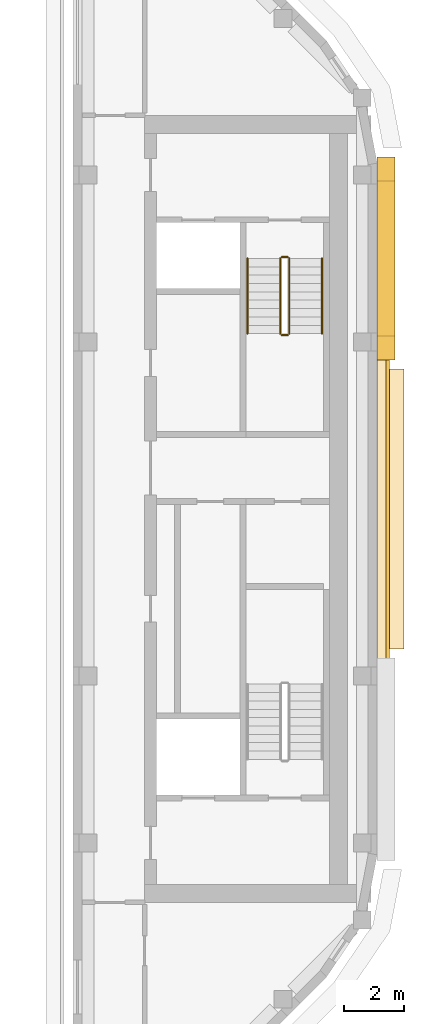
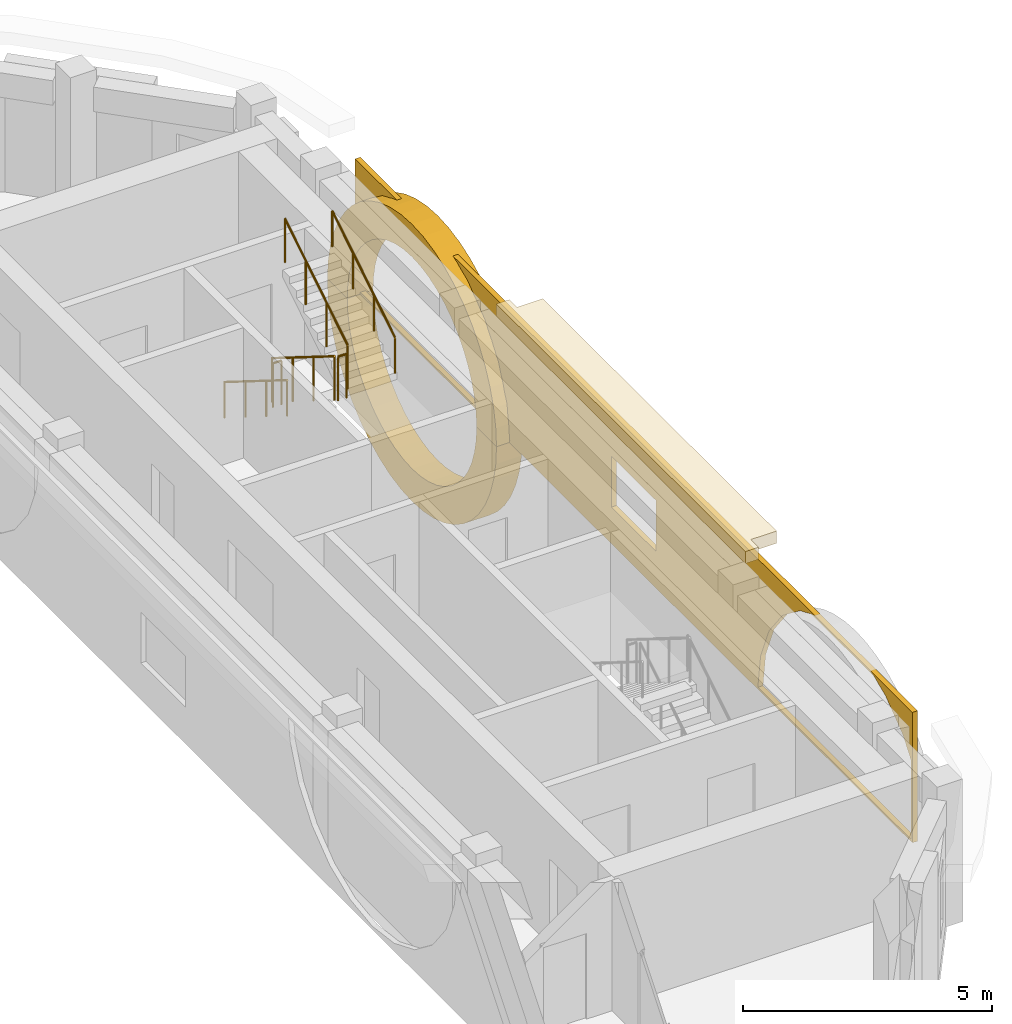
# One storey, part 11 of 12: 6 railings, 4 coverings.
"""IFC4 building model written with IfcOpenShell, lengths in metres."""

import ifcopenshell
import ifcopenshell.guid

model = None  # the IFC model being written
_history = None  # IfcOwnerHistory: only IFC2X3 demands one
_inside = {}  # id of a spatial element -> (the spatial element, [elements in it])
_under = {}  # id of a project, library or spatial element -> (it, [spatial elements below it])
_declared = {}  # id of a project -> (the project, [libraries it declares])
_typed = {}  # id of a type object -> (the type object, [elements of that type])
_made_of = {}  # id of a material, layer set ... -> (it, [elements and type objects made of it])


def new_model(schema):
    """Start an empty IFC model of exactly this schema.

    Asked for "IFC4X3", IfcOpenShell would pick the latest addendum, in which some entities
    have other attributes; the version numbers below select the first issue.
    IFC2X3 requires an IfcOwnerHistory on every rooted entity: one is made here for all.
    """
    global model, _history
    if schema == "IFC4X3":
        model = ifcopenshell.file(schema_version=(4, 3, 0, 0))
    else:
        model = ifcopenshell.file(schema=schema)
    _inside.clear()
    _under.clear()
    _declared.clear()
    _typed.clear()
    _made_of.clear()
    _history = None
    if model.schema == "IFC2X3":
        org = make("IfcOrganization", Name="unknown")
        user = make(
            "IfcPersonAndOrganization",
            ThePerson=make("IfcPerson", FamilyName="unknown"),
            TheOrganization=org,
        )
        app = make(
            "IfcApplication",
            ApplicationDeveloper=org,
            Version="unknown",
            ApplicationFullName="unknown",
            ApplicationIdentifier="unknown",
        )
        _history = make(
            "IfcOwnerHistory",
            OwningUser=user,
            OwningApplication=app,
            ChangeAction="ADDED",
            CreationDate=0,
        )
    return model


def make(cls, **values):
    """One entity of the class cls with the attributes given. An attribute that is None is left unset."""
    return model.create_entity(
        cls, **{name: value for name, value in values.items() if value is not None}
    )


def rooted(cls, **values):
    """An entity with a GlobalId (a new one), such as an element, a storey or a relation."""
    return make(cls, GlobalId=ifcopenshell.guid.new(), OwnerHistory=_history, **values)


def si_unit(unit_type, name, prefix=None):
    """IfcSIUnit, for example si_unit("LENGTHUNIT", "METRE", prefix="MILLI")."""
    return make("IfcSIUnit", UnitType=unit_type, Prefix=prefix, Name=name)


def assignment(units):
    """IfcUnitAssignment: the units of a project."""
    return None if units is None else make("IfcUnitAssignment", Units=units)


def point(xyz):
    """IfcCartesianPoint."""
    return None if xyz is None else make("IfcCartesianPoint", Coordinates=xyz)


def direction(xyz):
    """IfcDirection."""
    return None if xyz is None else make("IfcDirection", DirectionRatios=xyz)


def frame(location, z_axis=None, x_axis=None):
    """IfcAxis2Placement3D, a coordinate frame: its origin and axes. An axis left out is left unset."""
    return make(
        "IfcAxis2Placement3D",
        Location=point(location),
        Axis=direction(z_axis),
        RefDirection=direction(x_axis),
    )


def frame_2d(location, x_axis=None):
    """IfcAxis2Placement2D, a coordinate frame in the plane: its origin and x axis."""
    return make(
        "IfcAxis2Placement2D", Location=point(location), RefDirection=direction(x_axis)
    )


def origin():
    """The frame at (0, 0, 0) with its axes left unset."""
    return frame((0.0, 0.0, 0.0))


def origin_2d():
    """The frame at (0, 0) in the plane with its x axis left unset."""
    return frame_2d((0.0, 0.0))


def place(relative_to, where):
    """IfcLocalPlacement: puts the frame where relative to a parent placement (None: the world)."""
    return make(
        "IfcLocalPlacement", PlacementRelTo=relative_to, RelativePlacement=where
    )


def context(
    kind, dimensions, precision=None, world=None, true_north=None, identifier=None
):
    """IfcGeometricRepresentationContext, for example the 3D "Model" context."""
    return make(
        "IfcGeometricRepresentationContext",
        ContextIdentifier=identifier,
        ContextType=kind,
        CoordinateSpaceDimension=dimensions,
        Precision=precision,
        WorldCoordinateSystem=world,
        TrueNorth=true_north,
    )


def subcontext(parent, identifier, kind, view, scale=None):
    """IfcGeometricRepresentationSubContext, for example "Body" below "Model"."""
    return make(
        "IfcGeometricRepresentationSubContext",
        ContextIdentifier=identifier,
        ContextType=kind,
        ParentContext=parent,
        TargetScale=scale,
        TargetView=view,
    )


def project(units=None, contexts=None):
    """IfcProject with its units and contexts."""
    return rooted(
        "IfcProject",
        Name="project",
        RepresentationContexts=contexts,
        UnitsInContext=assignment(units),
    )


def spatial(cls, under=None, at=None, **own):
    """A site, building, storey or space (cls), placed at a placement, below another one or the project."""
    s = rooted(cls, ObjectPlacement=at, **own)
    if under is not None:
        _under.setdefault(under.id(), (under, []))[1].append(s)
    return s


def polyline(points):
    """IfcPolyline through the points."""
    return make("IfcPolyline", Points=[point(p) for p in points])


def profile(cls, at=None, kind="AREA", **sizes):
    """A parametric profile (cls). Its sizes go by their IFC names, for example OverallWidth=200.0."""
    return make(cls, ProfileType=kind, Position=at, **sizes)


def circle(**sizes):
    """IfcCircleProfileDef."""
    return profile("IfcCircleProfileDef", **sizes)


def outline(outer, holes=None, kind="AREA"):
    """IfcArbitraryClosedProfileDef: a profile drawn as a closed curve; with holes, ...WithVoids."""
    if holes is None:
        return make("IfcArbitraryClosedProfileDef", ProfileType=kind, OuterCurve=outer)
    return make(
        "IfcArbitraryProfileDefWithVoids",
        ProfileType=kind,
        OuterCurve=outer,
        InnerCurves=holes,
    )


def extrude(swept, where, along, depth):
    """IfcExtrudedAreaSolid: the profile swept, set in the frame where, extruded along a direction by depth."""
    return make(
        "IfcExtrudedAreaSolid",
        SweptArea=swept,
        Position=where,
        ExtrudedDirection=direction(along),
        Depth=depth,
    )


def shape(context_of_items, identifier, shape_type, items):
    """IfcShapeRepresentation: the items that make up one representation, for example the "Body"."""
    return make(
        "IfcShapeRepresentation",
        ContextOfItems=context_of_items,
        RepresentationIdentifier=identifier,
        RepresentationType=shape_type,
        Items=items,
    )


def material(Name=None, Category=None):
    """IfcMaterial."""
    return make("IfcMaterial", Name=Name, Category=Category)


def layer(
    of_material, thickness, ventilated=None, Name=None, Category=None, Priority=None
):
    """IfcMaterialLayer: one layer of a wall or slab, of a material (None: an air gap)."""
    return make(
        "IfcMaterialLayer",
        Material=of_material,
        LayerThickness=thickness,
        IsVentilated=ventilated,
        Name=Name,
        Category=Category,
        Priority=Priority,
    )


def layer_set(layers, Name=None):
    """IfcMaterialLayerSet."""
    return make("IfcMaterialLayerSet", MaterialLayers=layers, LayerSetName=Name)


def made_of(thing, what):
    """Note that an element or type object is made of a material, layer set ...; save() writes the relation."""
    if what is not None:
        _made_of.setdefault(what.id(), (what, []))[1].append(thing)
    return thing


def type_object(cls, material=None, **own):
    """A type object (cls), such as IfcWallType, which elements share."""
    return made_of(rooted(cls, **own), material)


def element(
    cls,
    number,
    at=None,
    inside=None,
    cuts=None,
    type_object=None,
    material=None,
    context=None,
    identifier="Body",
    shape_type=None,
    held_by="IfcProductDefinitionShape",
    body=None,
    shapes=None,
    **own,
):
    """One element of the class cls, such as IfcWall. Its Tag is "e" and its number.

    at: its placement. inside: the storey or other place that contains it. cuts: it is an
    opening in that element (IfcRelVoidsElement). A single representation is given by context,
    identifier, shape_type and body (its items); several are given by shapes. held_by: the class
    of the entity that holds the representations. save() writes the other relations.
    """
    e = rooted(cls, Tag="e%d" % number, ObjectPlacement=at, **own)
    if body is not None:
        shapes = [shape(context, identifier, shape_type, body)]
    if shapes is not None:
        e.Representation = make(held_by, Representations=shapes)
    if inside is not None:
        _inside.setdefault(inside.id(), (inside, []))[1].append(e)
    if cuts is not None:
        rooted(
            "IfcRelVoidsElement", RelatingBuildingElement=cuts, RelatedOpeningElement=e
        )
    if type_object is not None:
        _typed.setdefault(type_object.id(), (type_object, []))[1].append(e)
    return made_of(e, material)


def aggregate(whole, parts):
    """IfcRelAggregates: a whole, such as a stair, and the parts it consists of."""
    return rooted("IfcRelAggregates", RelatingObject=whole, RelatedObjects=parts)


def save(model, path):
    """Write the relations noted so far, then the file.

    IfcRelAggregates (storeys below a building ...), IfcRelContainedInSpatialStructure (elements
    in a storey), IfcRelDefinesByType, IfcRelAssociatesMaterial and IfcRelDeclares: one each for
    every whole, place, type object, material and project.
    """
    for whole, parts in _under.values():
        aggregate(whole, parts)
    for where, things in _inside.values():
        rooted(
            "IfcRelContainedInSpatialStructure",
            RelatedElements=things,
            RelatingStructure=where,
        )
    for kind, things in _typed.values():
        rooted("IfcRelDefinesByType", RelatedObjects=things, RelatingType=kind)
    for what, things in _made_of.values():
        rooted("IfcRelAssociatesMaterial", RelatedObjects=things, RelatingMaterial=what)
    for by, libraries in _declared.values():
        rooted("IfcRelDeclares", RelatingContext=by, RelatedDefinitions=libraries)
    model.write(path)


model = new_model("IFC4")

# Units and contexts
model_context = context("Model", 3, precision=1e-05, world=origin(), true_north=direction((0.0, 1.0)))
body_context = subcontext(model_context, "Body", "Model", "MODEL_VIEW")
ifc_project = project(units=[si_unit("LENGTHUNIT", "METRE"), si_unit("AREAUNIT", "SQUARE_METRE"), si_unit("VOLUMEUNIT", "CUBIC_METRE"), si_unit("PLANEANGLEUNIT", "RADIAN"), si_unit("MASSUNIT", "GRAM", prefix="KILO")], contexts=[model_context])

# Site, building, storey
site_placement = place(None, origin())
site = spatial("IfcSite", under=ifc_project, at=site_placement, CompositionType="ELEMENT")
building_placement = place(site_placement, origin())
building = spatial("IfcBuilding", under=site, at=building_placement, Name="Kiln Ring Residences", CompositionType="ELEMENT")
storey_placement = place(building_placement, frame((0.0, 0.0, 306.89990234375)))
storey = spatial("IfcBuildingStorey", under=building, at=storey_placement, Name="L79 Crown", CompositionType="ELEMENT", Elevation=306.89990234375)

# Railings
ifc_material_1 = material(Name="Stainless steel", Category="steel")
railing_type_1 = type_object("IfcRailingType", Name="CORE-STAIR-GUARD", PredefinedType="GUARDRAIL", material=ifc_material_1)
railing_1_placement = place(storey_placement, frame((21.949951171875, 8.39990234375, 0.175048828125)))
element("IfcRailing", 1, at=railing_1_placement, inside=storey, type_object=railing_type_1, Name="L79 Crown E-STN stair guard 1", PredefinedType="GUARDRAIL", context=body_context, shape_type="SweptSolid", body=[
    extrude(circle(Radius=0.02392578125, at=origin_2d()), frame((0.0, 0.0, 1.076171875), z_axis=(0.0, -0.848007534815, 0.529984170421), x_axis=(1.0, 0.0, 0.0)), (0.0, 0.0, 1.0), 2.9716796875),
    extrude(circle(Radius=0.02099609375, at=origin_2d()), origin(), (0.0, 0.0, 1.0), 1.052001953125),
    extrude(circle(Radius=0.02099609375, at=origin_2d()), frame((0.0, -0.840087890625, 0.52490234375)), (0.0, 0.0, 1.0), 1.052001953125),
    extrude(circle(Radius=0.02099609375, at=origin_2d()), frame((0.0, -1.679931640625, 1.050048828125)), (0.0, 0.0, 1.0), 1.052001953125),
    extrude(circle(Radius=0.02099609375, at=origin_2d()), frame((0.0, -2.52001953125, 1.574951171875)), (0.0, 0.0, 1.0), 1.052001953125),
])
railing_2_placement = place(storey_placement, frame((22.0, 5.830078125, 1.75)))
element("IfcRailing", 2, at=railing_2_placement, inside=storey, type_object=railing_type_1, Name="L79 Crown E-STN stair guard 2", PredefinedType="GUARDRAIL", context=body_context, shape_type="SweptSolid", body=[
    extrude(circle(Radius=0.02392578125, at=origin_2d()), frame((0.0, 0.0, 1.076171875), z_axis=(1.0, 0.0, 0.0), x_axis=(0.0, 1.0, 0.0)), (0.0, 0.0, 1.0), 0.199951171875),
    extrude(circle(Radius=0.02099609375, at=origin_2d()), origin(), (0.0, 0.0, 1.0), 1.052001953125),
    extrude(circle(Radius=0.02099609375, at=origin_2d()), frame((0.199951171875, 0.0, 0.0)), (0.0, 0.0, 1.0), 1.052001953125),
])
railing_3_placement = place(storey_placement, frame((22.25, 5.8798828125, 1.925048828125)))
element("IfcRailing", 3, at=railing_3_placement, inside=storey, type_object=railing_type_1, Name="L79 Crown E-STN stair guard 3", PredefinedType="GUARDRAIL", context=body_context, shape_type="SweptSolid", body=[
    extrude(circle(Radius=0.02392578125, at=origin_2d()), frame((0.0, 0.0, 1.076171875), z_axis=(0.0, 0.848007534815, 0.529984170421), x_axis=(-1.0, 0.0, 0.0)), (0.0, 0.0, 1.0), 2.9716796875),
    extrude(circle(Radius=0.02099609375, at=origin_2d()), origin(), (0.0, 0.0, 1.0), 1.052001953125),
    extrude(circle(Radius=0.02099609375, at=origin_2d()), frame((0.0, 0.840087890625, 0.52490234375)), (0.0, 0.0, 1.0), 1.052001953125),
    extrude(circle(Radius=0.02099609375, at=origin_2d()), frame((0.0, 1.679931640625, 1.050048828125)), (0.0, 0.0, 1.0), 1.052001953125),
    extrude(circle(Radius=0.02099609375, at=origin_2d()), frame((0.0, 2.52001953125, 1.574951171875)), (0.0, 0.0, 1.0), 1.052001953125),
])
railing_4_placement = place(storey_placement, frame((22.0, 8.449951171875, 0.0)))
element("IfcRailing", 4, at=railing_4_placement, inside=storey, type_object=railing_type_1, Name="L79 Crown E-STN stair guard 4", PredefinedType="GUARDRAIL", context=body_context, shape_type="SweptSolid", body=[
    extrude(circle(Radius=0.02392578125, at=origin_2d()), frame((0.0, 0.0, 1.076171875), z_axis=(1.0, 0.0, 0.0), x_axis=(0.0, 1.0, 0.0)), (0.0, 0.0, 1.0), 0.199951171875),
    extrude(circle(Radius=0.02099609375, at=origin_2d()), origin(), (0.0, 0.0, 1.0), 1.052001953125),
    extrude(circle(Radius=0.02099609375, at=origin_2d()), frame((0.199951171875, 0.0, 0.0)), (0.0, 0.0, 1.0), 1.052001953125),
])
ifc_material_2 = material(Name="Stainless steel", Category="steel")
railing_type_2 = type_object("IfcRailingType", Name="CORE-STAIR-HANDRAIL", PredefinedType="HANDRAIL", material=ifc_material_2)
railing_5_placement = place(storey_placement, frame((20.85009765625, 8.39990234375, 0.175048828125)))
element("IfcRailing", 5, at=railing_5_placement, inside=storey, type_object=railing_type_2, Name="L79 Crown E-STN stair handrail 1", PredefinedType="HANDRAIL", context=body_context, shape_type="SweptSolid", body=[
    extrude(circle(Radius=0.02392578125, at=origin_2d()), frame((0.0, 0.0, 0.8759765625), z_axis=(0.0, -0.848007534815, 0.529984170421), x_axis=(1.0, 0.0, 0.0)), (0.0, 0.0, 1.0), 2.9716796875),
    extrude(circle(Radius=0.02099609375, at=origin_2d()), origin(), (0.0, 0.0, 1.0), 0.851806640625),
    extrude(circle(Radius=0.02099609375, at=origin_2d()), frame((0.0, -0.840087890625, 0.52490234375)), (0.0, 0.0, 1.0), 0.851806640625),
    extrude(circle(Radius=0.02099609375, at=origin_2d()), frame((0.0, -1.679931640625, 1.050048828125)), (0.0, 0.0, 1.0), 0.851806640625),
    extrude(circle(Radius=0.02099609375, at=origin_2d()), frame((0.0, -2.52001953125, 1.574951171875)), (0.0, 0.0, 1.0), 0.851806640625),
])
railing_6_placement = place(storey_placement, frame((23.35009765625, 5.8798828125, 1.925048828125)))
element("IfcRailing", 6, at=railing_6_placement, inside=storey, type_object=railing_type_2, Name="L79 Crown E-STN stair handrail 2", PredefinedType="HANDRAIL", context=body_context, shape_type="SweptSolid", body=[
    extrude(circle(Radius=0.02392578125, at=origin_2d()), frame((0.0, 0.0, 0.8759765625), z_axis=(0.0, 0.848007534815, 0.529984170421), x_axis=(-1.0, 0.0, 0.0)), (0.0, 0.0, 1.0), 2.9716796875),
    extrude(circle(Radius=0.02099609375, at=origin_2d()), origin(), (0.0, 0.0, 1.0), 0.851806640625),
    extrude(circle(Radius=0.02099609375, at=origin_2d()), frame((0.0, 0.840087890625, 0.52490234375)), (0.0, 0.0, 1.0), 0.851806640625),
    extrude(circle(Radius=0.02099609375, at=origin_2d()), frame((0.0, 1.679931640625, 1.050048828125)), (0.0, 0.0, 1.0), 0.851806640625),
    extrude(circle(Radius=0.02099609375, at=origin_2d()), frame((0.0, 2.52001953125, 1.574951171875)), (0.0, 0.0, 1.0), 0.851806640625),
])

# Coverings
ifc_material_3 = material(Name="Brick masonry, dark clay brick", Category="masonry")
ifc_layer_1 = layer(ifc_material_3, 0.1201171875)
ifc_layer_set_1 = layer_set([ifc_layer_1], Name="RAINSCREEN PANEL 120")
covering_type_1 = type_object("IfcCoveringType", Name="RAINSCREEN PANEL 120", PredefinedType="CLADDING", material=ifc_layer_set_1)
covering_1_placement = place(storey_placement, frame((25.56005859375, -11.199951171875, 0.0), z_axis=(0.0, 0.0, 1.0), x_axis=(0.0, 1.0, 0.0)))
element("IfcCovering", 7, at=covering_1_placement, inside=storey, type_object=covering_type_1, Name="RAINSCREEN L79 Crown", PredefinedType="CLADDING", context=body_context, shape_type="SweptSolid", body=[
    extrude(outline(polyline([(0.0, 0.0), (22.39990234375, 0.0), (22.39990234375, 3.2001953125), (0.0, 3.2001953125), (0.0, 0.0)]), holes=[polyline([(0.381591796875, 2.41845703125), (0.050048828125, 1.986083984375), (0.050048828125, 0.050048828125), (6.21337890625, 0.050048828125), (6.103515625, 0.88525390625), (5.76171875, 1.710205078125), (5.21826171875, 2.41845703125), (4.510009765625, 2.9619140625), (4.0556640625, 3.150146484375), (1.544189453125, 3.150146484375), (1.090087890625, 2.9619140625), (0.381591796875, 2.41845703125)]), polyline([(16.29638671875, 0.88525390625), (16.1865234375, 0.050048828125), (22.35009765625, 0.050048828125), (22.35009765625, 1.986083984375), (22.018310546875, 2.41845703125), (21.31005859375, 2.9619140625), (20.855712890625, 3.150146484375), (18.34423828125, 3.150146484375), (17.889892578125, 2.9619140625), (17.181640625, 2.41845703125), (16.63818359375, 1.710205078125), (16.29638671875, 0.88525390625)]), polyline([(10.300048828125, 0.900146484375), (12.10009765625, 0.900146484375), (12.10009765625, 2.150146484375), (10.300048828125, 2.150146484375), (10.300048828125, 0.900146484375)])]), frame((0.0, 0.06005859375, 0.0), z_axis=(0.0, -1.0, 0.0), x_axis=(1.0, 0.0, 0.0)), (0.0, 0.0, 1.0), 0.1201171875),
])
ifc_material_4 = material(Name="Concrete C35/45, exposed aggregate finish", Category="concrete")
covering_type_2 = type_object("IfcCoveringType", Name="ROUNDEL RING 600", PredefinedType="CLADDING", material=ifc_material_4)
covering_2_placement = place(storey_placement, frame((25.5, 11.800048828125, 0.0), z_axis=(0.0, 0.0, 1.0), x_axis=(0.0, -1.0, 0.0)))
element("IfcCovering", 8, at=covering_2_placement, inside=storey, type_object=covering_type_2, Name="ROUNDEL RING L79 Crown", PredefinedType="CLADDING", context=body_context, shape_type="SweptSolid", body=[
    extrude(outline(polyline([(0.0, 0.0), (0.029052734375, 0.44384765625), (0.115966796875, 0.880126953125), (0.2587890625, 1.30126953125), (0.45556640625, 1.7001953125), (0.70263671875, 2.06982421875), (0.995849609375, 2.404296875), (1.330078125, 2.697509765625), (1.699951171875, 2.944580078125), (2.098876953125, 3.141357421875), (2.52001953125, 3.2841796875), (2.956298828125, 3.37109375), (3.39990234375, 3.400146484375), (3.84375, 3.37109375), (4.280029296875, 3.2841796875), (4.701171875, 3.141357421875), (5.10009765625, 2.944580078125), (5.4697265625, 2.697509765625), (5.80419921875, 2.404296875), (6.097412109375, 2.06982421875), (6.344482421875, 1.7001953125), (6.541259765625, 1.30126953125), (6.68408203125, 0.880126953125), (6.77099609375, 0.44384765625), (6.800048828125, 0.0), (6.0, 0.0), (5.977783203125, 0.339599609375), (5.911376953125, 0.673095703125), (5.802001953125, 0.9951171875), (5.651611328125, 1.300048828125), (5.462646484375, 1.5830078125), (5.238525390625, 1.838623046875), (4.98291015625, 2.062744140625), (4.699951171875, 2.251708984375), (4.39501953125, 2.402099609375), (4.072998046875, 2.511474609375), (3.739501953125, 2.577880859375), (3.39990234375, 2.60009765625), (3.060546875, 2.577880859375), (2.72705078125, 2.511474609375), (2.405029296875, 2.402099609375), (2.10009765625, 2.251708984375), (1.817138671875, 2.062744140625), (1.5615234375, 1.838623046875), (1.33740234375, 1.5830078125), (1.148193359375, 1.300048828125), (0.997802734375, 0.9951171875), (0.888671875, 0.673095703125), (0.822265625, 0.339599609375), (0.800048828125, 0.0), (0.0, 0.0)])), frame((0.0, 0.300048828125, 0.0), z_axis=(0.0, -1.0, 0.0), x_axis=(1.0, 0.0, 0.0)), (0.0, 0.0, 1.0), 0.60009765625),
])
covering_3_placement = place(storey_placement, frame((25.5, 11.800048828125, -3.39990234375), z_axis=(0.0, 0.0, 1.0), x_axis=(0.0, -1.0, 0.0)))
element("IfcCovering", 9, at=covering_3_placement, inside=storey, type_object=covering_type_2, Name="ROUNDEL RING L79 Crown", PredefinedType="CLADDING", context=body_context, shape_type="SweptSolid", body=[
    extrude(outline(polyline([(6.800048828125, 3.39990234375), (6.77099609375, 2.956298828125), (6.68408203125, 2.52001953125), (6.541259765625, 2.098876953125), (6.344482421875, 1.699951171875), (6.097412109375, 1.330078125), (5.80419921875, 0.995849609375), (5.4697265625, 0.70263671875), (5.10009765625, 0.45556640625), (4.701171875, 0.2587890625), (4.280029296875, 0.115966796875), (3.84375, 0.029052734375), (3.39990234375, 0.0), (2.956298828125, 0.029052734375), (2.52001953125, 0.115966796875), (2.098876953125, 0.2587890625), (1.699951171875, 0.45556640625), (1.330078125, 0.70263671875), (0.995849609375, 0.995849609375), (0.70263671875, 1.330078125), (0.45556640625, 1.699951171875), (0.2587890625, 2.098876953125), (0.115966796875, 2.52001953125), (0.029052734375, 2.956298828125), (0.0, 3.39990234375), (0.800048828125, 3.39990234375), (0.822265625, 3.060546875), (0.888671875, 2.72705078125), (0.997802734375, 2.405029296875), (1.148193359375, 2.10009765625), (1.33740234375, 1.817138671875), (1.5615234375, 1.5615234375), (1.817138671875, 1.33740234375), (2.10009765625, 1.148193359375), (2.405029296875, 0.997802734375), (2.72705078125, 0.888671875), (3.060546875, 0.822265625), (3.39990234375, 0.800048828125), (3.739501953125, 0.822265625), (4.072998046875, 0.888671875), (4.39501953125, 0.997802734375), (4.699951171875, 1.148193359375), (4.98291015625, 1.33740234375), (5.238525390625, 1.5615234375), (5.462646484375, 1.817138671875), (5.651611328125, 2.10009765625), (5.802001953125, 2.405029296875), (5.911376953125, 2.72705078125), (5.977783203125, 3.060546875), (6.0, 3.39990234375), (6.800048828125, 3.39990234375)])), frame((0.0, 0.300048828125, 0.0), z_axis=(0.0, -1.0, 0.0), x_axis=(1.0, 0.0, 0.0)), (0.0, 0.0, 1.0), 0.60009765625),
])
ifc_material_5 = material(Name="Black powder-coated steel", Category="steel")
ifc_layer_2 = layer(ifc_material_5, 0.300048828125)
ifc_layer_set_2 = layer_set([ifc_layer_2], Name="SUNSHADE FIN 600")
covering_type_3 = type_object("IfcCoveringType", Name="SUNSHADE FIN 600", PredefinedType="CLADDING", material=ifc_layer_set_2)
covering_4_placement = place(storey_placement, frame((0.0, 0.0, 3.2001953125)))
element("IfcCovering", 10, at=covering_4_placement, inside=storey, type_object=covering_type_3, Name="SUNSHADE FIN L79 Crown", PredefinedType="CLADDING", context=body_context, shape_type="SweptSolid", body=[
    extrude(outline(polyline([(25.199951171875, 5.010009765625), (25.199951171875, -5.010009765625), (25.5, -5.010009765625), (25.5, -4.699951171875), (26.10009765625, -4.699951171875), (26.10009765625, 4.699951171875), (25.5, 4.699951171875), (25.5, 5.010009765625), (25.199951171875, 5.010009765625)])), origin(), (0.0, 0.0, 1.0), 0.2998046875),
])

save(model, "model.ifc")
